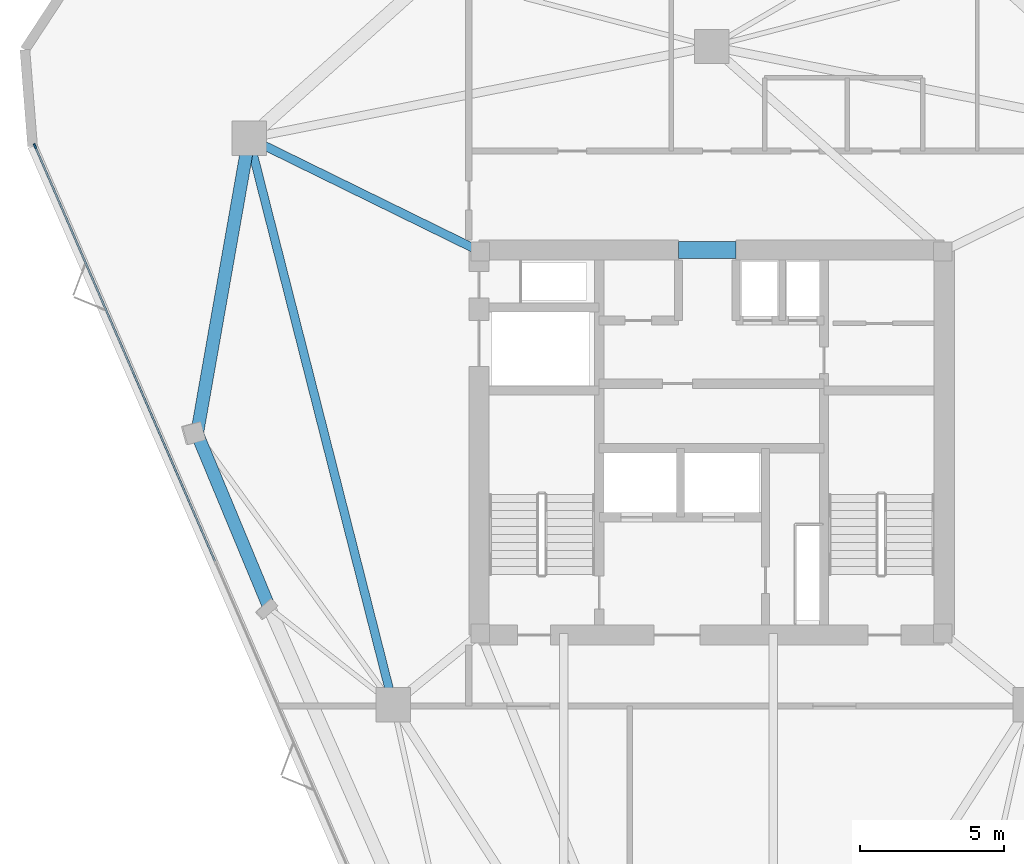
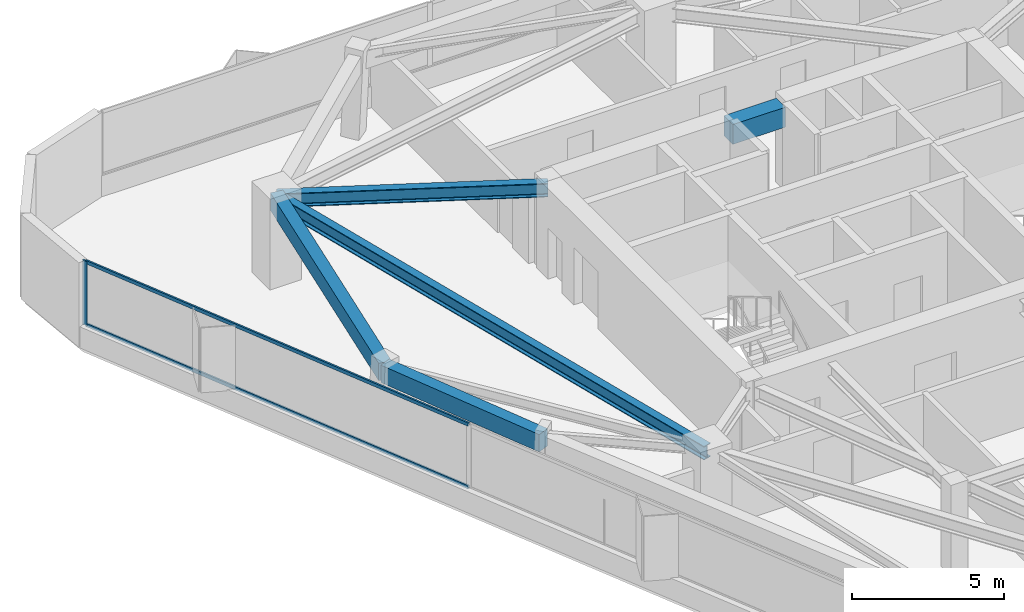
# One storey, part 5 of 11: 5 beams, 3 members, 1 element without a shape of its own.
"""IFC4 building model written with IfcOpenShell, lengths in metres."""

from ifc_helpers import new_model, si_unit, direction, frame, origin, origin_2d, place, context, subcontext, project, spatial, rectangle, i_section, extrude, material, layer, layer_set, material_profile, profile_set, type_object, element, aggregate, save


model = new_model("IFC4")

# Units and contexts
model_context = context("Model", 3, precision=1e-05, world=origin(), true_north=direction((0.0, 1.0)))
body_context = subcontext(model_context, "Body", "Model", "MODEL_VIEW")
ifc_project = project(units=[si_unit("LENGTHUNIT", "METRE"), si_unit("AREAUNIT", "SQUARE_METRE"), si_unit("VOLUMEUNIT", "CUBIC_METRE"), si_unit("PLANEANGLEUNIT", "RADIAN"), si_unit("MASSUNIT", "GRAM", prefix="KILO")], contexts=[model_context])

# Site, building, storey
site_placement = place(None, origin())
site = spatial("IfcSite", under=ifc_project, at=site_placement, CompositionType="ELEMENT")
building_placement = place(site_placement, origin())
building = spatial("IfcBuilding", under=site, at=building_placement, Name="Talyreon Biosciences Tower", CompositionType="ELEMENT")
storey_placement = place(building_placement, frame((0.0, 0.0, 238.89990234375)))
storey = spatial("IfcBuildingStorey", under=building, at=storey_placement, Name="L63", CompositionType="ELEMENT", Elevation=238.89990234375)

# Curtain wall, members
ifc_material_1 = material(Name="Thermally broken aluminium and low-E glazing", Category="aluminium")
ifc_layer = layer(ifc_material_1, 0.175048828125)
ifc_layer_set = layer_set([ifc_layer], Name="Thermally broken aluminium and low-E glazing")
curtain_wall_type = type_object("IfcCurtainWallType", Name="CurtainWall_Zone5CompLab", PredefinedType="NOTDEFINED", material=ifc_layer_set)
curtain_wall_placement = place(storey_placement, origin())
curtain_wall = element("IfcCurtainWall", 1, at=curtain_wall_placement, inside=storey, type_object=curtain_wall_type, Name="L63 Unitised Curtain Wall FCW-L63-00", PredefinedType="NOTDEFINED")
ifc_material_2 = material(Name="Anodised thermally broken aluminium", Category="aluminium")
ifc_material_profile_1 = material_profile(ifc_material_2, rectangle(XDim=0.06494140625, YDim=0.179931640625, at=origin_2d()), Name="ALUM MULLION 65x180")
ifc_profile_set_1 = profile_set([ifc_material_profile_1], Name="Anodised thermally broken aluminium")
member_type_1 = type_object("IfcMemberType", Name="CWMullion_65x180", PredefinedType="MULLION", material=ifc_profile_set_1)
member_1_placement = place(storey_placement, frame((42.4462890625, 78.31787109375, 0.81005859375), z_axis=(0.0, 0.0, 1.0), x_axis=(-0.917458244079, -0.397832088162, 0.0)))
member_1 = element("IfcMember", 2, at=member_1_placement, type_object=member_type_1, Name="CW6 mullion 4", PredefinedType="MULLION", context=body_context, shape_type="SweptSolid", body=[
    extrude(rectangle(XDim=0.06494140625, YDim=0.179931640625, at=origin_2d()), origin(), (0.0, 0.0, 1.0), 2.590087890625),
])
ifc_material_profile_2 = material_profile(ifc_material_2, rectangle(XDim=0.06494140625, YDim=0.139892578125, at=origin_2d()), Name="ALUM TRANSOM 65x140")
ifc_profile_set_2 = profile_set([ifc_material_profile_2], Name="Anodised thermally broken aluminium")
member_type_2 = type_object("IfcMemberType", Name="CWTransom_65x140", PredefinedType="USERDEFINED", material=ifc_profile_set_2)
member_2_placement = place(storey_placement, frame((48.710205078125, 63.87255859375, 0.842529296875), z_axis=(-0.397835044798, 0.917456962004, 0.0), x_axis=(-0.917456962004, -0.397835044798, 0.0)))
member_2 = element("IfcMember", 3, at=member_2_placement, type_object=member_type_2, Name="CW6 transom 3.1", ObjectType="TRANSOM", PredefinedType="USERDEFINED", context=body_context, shape_type="SweptSolid", body=[
    extrude(rectangle(XDim=0.06494140625, YDim=0.139892578125, at=origin_2d()), origin(), (0.0, 0.0, 1.0), 15.71240234375),
])
member_3_placement = place(storey_placement, frame((48.710205078125, 63.87255859375, 3.36767578125), z_axis=(-0.397835044798, 0.917456962004, 0.0), x_axis=(-0.917456962004, -0.397835044798, 0.0)))
member_3 = element("IfcMember", 4, at=member_3_placement, type_object=member_type_2, Name="CW6 transom 3.2", ObjectType="TRANSOM", PredefinedType="USERDEFINED", context=body_context, shape_type="SweptSolid", body=[
    extrude(rectangle(XDim=0.06494140625, YDim=0.139892578125, at=origin_2d()), origin(), (0.0, 0.0, 1.0), 15.71240234375),
])
aggregate(curtain_wall, [member_1, member_2, member_3])

# Beams
ifc_material_3 = material(Name="Concrete C50/60", Category="concrete")
ifc_material_profile_3 = material_profile(ifc_material_3, rectangle(XDim=0.60009765625, YDim=0.800048828125, at=origin_2d()), Name="RCB 600x800")
ifc_profile_set_3 = profile_set([ifc_material_profile_3], Name="Concrete C50/60")
beam_type_1 = type_object("IfcBeamType", Name="CoreCouplingLintel_600x800", PredefinedType="LINTEL", material=ifc_profile_set_3)
beam_1_placement = place(storey_placement, frame((64.85009765625, 74.699951171875, 3.0), z_axis=(1.0, 0.0, 0.0), x_axis=(0.0, 1.0, 0.0)))
element("IfcBeam", 5, at=beam_1_placement, inside=storey, type_object=beam_type_1, Name="L63 Core Coupling Lintel", PredefinedType="LINTEL", context=body_context, shape_type="SweptSolid", body=[
    extrude(rectangle(XDim=0.60009765625, YDim=0.800048828125, at=origin_2d()), origin(), (0.0, 0.0, 1.0), 2.0),
])
ifc_material_4 = material(Name="Precast concrete C45/55", Category="concrete")
ifc_material_profile_4 = material_profile(ifc_material_4, rectangle(XDim=0.449951171875, YDim=0.699951171875, at=origin_2d()), Name="RCB 450x700")
ifc_profile_set_4 = profile_set([ifc_material_profile_4], Name="Precast concrete C45/55")
beam_type_2 = type_object("IfcBeamType", Name="ExpressedSpandrel_450x700", PredefinedType="SPANDREL", material=ifc_profile_set_4)
beam_2_placement = place(storey_placement, frame((49.897705078125, 78.5986328125, 3.050048828125), z_axis=(-0.173346728038, -0.984860859146, 0.0), x_axis=(0.984860859146, -0.173346728038, 0.0)))
element("IfcBeam", 6, at=beam_2_placement, inside=storey, type_object=beam_type_2, Name="L63 Expressed Horizontal Concrete Spandrel 09", PredefinedType="SPANDREL", context=body_context, shape_type="SweptSolid", body=[
    extrude(rectangle(XDim=0.449951171875, YDim=0.699951171875, at=origin_2d()), origin(), (0.0, 0.0, 1.0), 10.447509765625),
])
beam_3_placement = place(storey_placement, frame((48.086669921875, 68.309326171875, 3.050048828125), z_axis=(0.383755862862, -0.923434587678, 0.0), x_axis=(0.923434587678, 0.383755862862, 0.0)))
element("IfcBeam", 7, at=beam_3_placement, inside=storey, type_object=beam_type_2, Name="L63 Expressed Horizontal Concrete Spandrel 10", PredefinedType="SPANDREL", context=body_context, shape_type="SweptSolid", body=[
    extrude(rectangle(XDim=0.449951171875, YDim=0.699951171875, at=origin_2d()), origin(), (0.0, 0.0, 1.0), 6.576171875),
])
ifc_material_5 = material(Name="Steel SM355", Category="steel")
ifc_material_profile_5 = material_profile(ifc_material_5, i_section(OverallWidth=0.300048828125, OverallDepth=0.550048828125, WebThickness=0.014892578125, FlangeThickness=0.029052734375, FilletRadius=0.027099609375, at=origin_2d()), Name="HE550B")
ifc_profile_set_5 = profile_set([ifc_material_profile_5], Name="Steel SM355")
beam_type_3 = type_object("IfcBeamType", Name="SteelBeam_HE550B", PredefinedType="BEAM", material=ifc_profile_set_5)
beam_4_placement = place(storey_placement, frame((49.897705078125, 78.5986328125, 3.125), z_axis=(0.246537082299, -0.969133358755, 0.0), x_axis=(0.969133358755, 0.246537082299, 0.0)))
element("IfcBeam", 8, at=beam_4_placement, inside=storey, type_object=beam_type_3, Name="L63 Mega-Ring Girder 5", PredefinedType="BEAM", context=body_context, shape_type="SweptSolid", body=[
    extrude(i_section(OverallWidth=0.300048828125, OverallDepth=0.550048828125, WebThickness=0.014892578125, FlangeThickness=0.029052734375, FilletRadius=0.027099609375, at=origin_2d()), origin(), (0.0, 0.0, 1.0), 20.34619140625),
])
beam_5_placement = place(storey_placement, frame((57.949951171875, 74.64990234375, 3.125), z_axis=(-0.897852360314, 0.440296648952, 0.0), x_axis=(-0.440296648952, -0.897852360314, 0.0)))
element("IfcBeam", 9, at=beam_5_placement, inside=storey, type_object=beam_type_3, Name="L63 Radial Primary Girder 5", PredefinedType="BEAM", context=body_context, shape_type="SweptSolid", body=[
    extrude(i_section(OverallWidth=0.300048828125, OverallDepth=0.550048828125, WebThickness=0.014892578125, FlangeThickness=0.029052734375, FilletRadius=0.027099609375, at=origin_2d()), origin(), (0.0, 0.0, 1.0), 8.96826171875),
])

save(model, "model.ifc")
